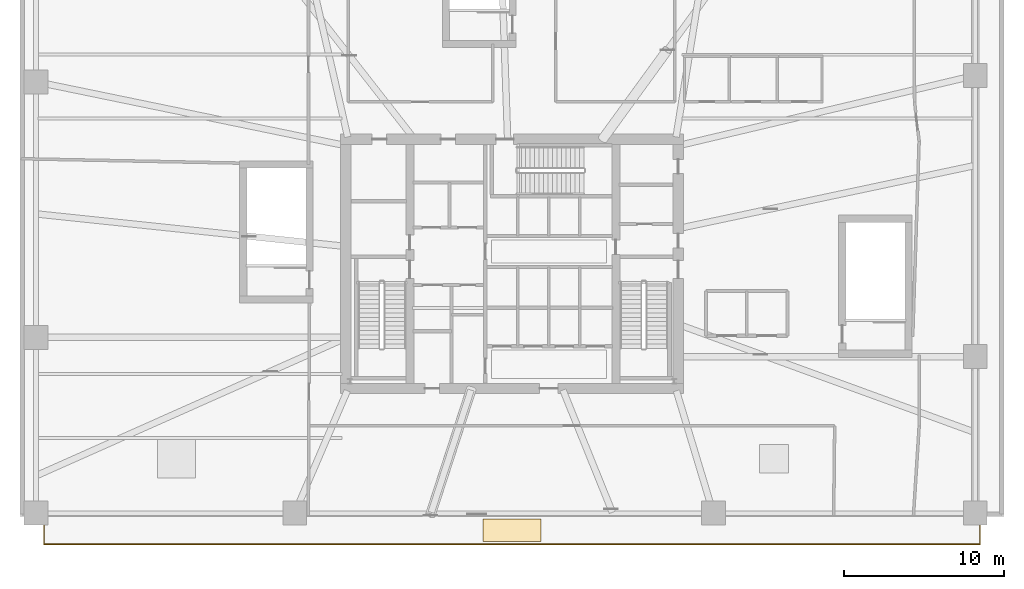
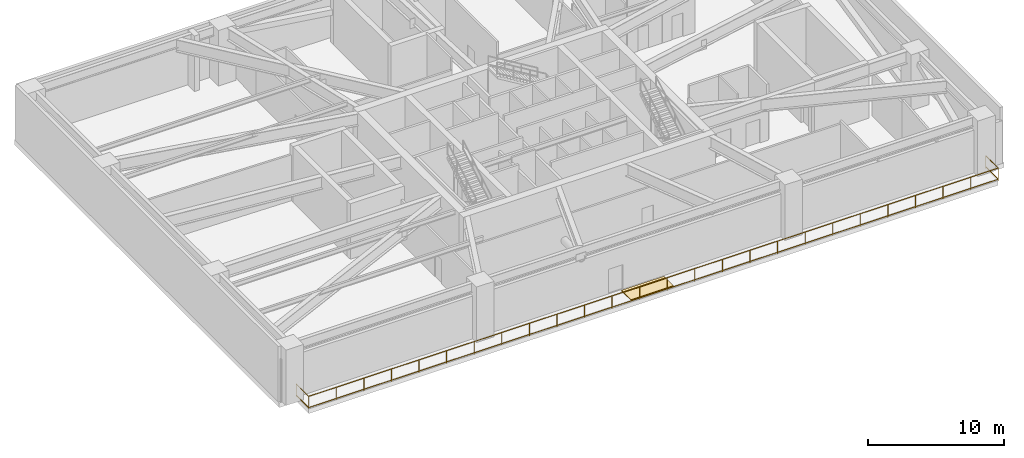
# One storey, part 8 of 10: 1 covering, 1 railing.
"""IFC4 building model written with IfcOpenShell, lengths in metres."""

import ifcopenshell
import ifcopenshell.guid

model = None  # the IFC model being written
_history = None  # IfcOwnerHistory: only IFC2X3 demands one
_inside = {}  # id of a spatial element -> (the spatial element, [elements in it])
_under = {}  # id of a project, library or spatial element -> (it, [spatial elements below it])
_declared = {}  # id of a project -> (the project, [libraries it declares])
_typed = {}  # id of a type object -> (the type object, [elements of that type])
_made_of = {}  # id of a material, layer set ... -> (it, [elements and type objects made of it])


def new_model(schema):
    """Start an empty IFC model of exactly this schema.

    Asked for "IFC4X3", IfcOpenShell would pick the latest addendum, in which some entities
    have other attributes; the version numbers below select the first issue.
    IFC2X3 requires an IfcOwnerHistory on every rooted entity: one is made here for all.
    """
    global model, _history
    if schema == "IFC4X3":
        model = ifcopenshell.file(schema_version=(4, 3, 0, 0))
    else:
        model = ifcopenshell.file(schema=schema)
    _inside.clear()
    _under.clear()
    _declared.clear()
    _typed.clear()
    _made_of.clear()
    _history = None
    if model.schema == "IFC2X3":
        org = make("IfcOrganization", Name="unknown")
        user = make(
            "IfcPersonAndOrganization",
            ThePerson=make("IfcPerson", FamilyName="unknown"),
            TheOrganization=org,
        )
        app = make(
            "IfcApplication",
            ApplicationDeveloper=org,
            Version="unknown",
            ApplicationFullName="unknown",
            ApplicationIdentifier="unknown",
        )
        _history = make(
            "IfcOwnerHistory",
            OwningUser=user,
            OwningApplication=app,
            ChangeAction="ADDED",
            CreationDate=0,
        )
    return model


def make(cls, **values):
    """One entity of the class cls with the attributes given. An attribute that is None is left unset."""
    return model.create_entity(
        cls, **{name: value for name, value in values.items() if value is not None}
    )


def rooted(cls, **values):
    """An entity with a GlobalId (a new one), such as an element, a storey or a relation."""
    return make(cls, GlobalId=ifcopenshell.guid.new(), OwnerHistory=_history, **values)


def si_unit(unit_type, name, prefix=None):
    """IfcSIUnit, for example si_unit("LENGTHUNIT", "METRE", prefix="MILLI")."""
    return make("IfcSIUnit", UnitType=unit_type, Prefix=prefix, Name=name)


def assignment(units):
    """IfcUnitAssignment: the units of a project."""
    return None if units is None else make("IfcUnitAssignment", Units=units)


def point(xyz):
    """IfcCartesianPoint."""
    return None if xyz is None else make("IfcCartesianPoint", Coordinates=xyz)


def direction(xyz):
    """IfcDirection."""
    return None if xyz is None else make("IfcDirection", DirectionRatios=xyz)


def frame(location, z_axis=None, x_axis=None):
    """IfcAxis2Placement3D, a coordinate frame: its origin and axes. An axis left out is left unset."""
    return make(
        "IfcAxis2Placement3D",
        Location=point(location),
        Axis=direction(z_axis),
        RefDirection=direction(x_axis),
    )


def frame_2d(location, x_axis=None):
    """IfcAxis2Placement2D, a coordinate frame in the plane: its origin and x axis."""
    return make(
        "IfcAxis2Placement2D", Location=point(location), RefDirection=direction(x_axis)
    )


def origin():
    """The frame at (0, 0, 0) with its axes left unset."""
    return frame((0.0, 0.0, 0.0))


def origin_2d():
    """The frame at (0, 0) in the plane with its x axis left unset."""
    return frame_2d((0.0, 0.0))


def place(relative_to, where):
    """IfcLocalPlacement: puts the frame where relative to a parent placement (None: the world)."""
    return make(
        "IfcLocalPlacement", PlacementRelTo=relative_to, RelativePlacement=where
    )


def context(
    kind, dimensions, precision=None, world=None, true_north=None, identifier=None
):
    """IfcGeometricRepresentationContext, for example the 3D "Model" context."""
    return make(
        "IfcGeometricRepresentationContext",
        ContextIdentifier=identifier,
        ContextType=kind,
        CoordinateSpaceDimension=dimensions,
        Precision=precision,
        WorldCoordinateSystem=world,
        TrueNorth=true_north,
    )


def subcontext(parent, identifier, kind, view, scale=None):
    """IfcGeometricRepresentationSubContext, for example "Body" below "Model"."""
    return make(
        "IfcGeometricRepresentationSubContext",
        ContextIdentifier=identifier,
        ContextType=kind,
        ParentContext=parent,
        TargetScale=scale,
        TargetView=view,
    )


def project(units=None, contexts=None):
    """IfcProject with its units and contexts."""
    return rooted(
        "IfcProject",
        Name="project",
        RepresentationContexts=contexts,
        UnitsInContext=assignment(units),
    )


def spatial(cls, under=None, at=None, **own):
    """A site, building, storey or space (cls), placed at a placement, below another one or the project."""
    s = rooted(cls, ObjectPlacement=at, **own)
    if under is not None:
        _under.setdefault(under.id(), (under, []))[1].append(s)
    return s


def profile(cls, at=None, kind="AREA", **sizes):
    """A parametric profile (cls). Its sizes go by their IFC names, for example OverallWidth=200.0."""
    return make(cls, ProfileType=kind, Position=at, **sizes)


def rectangle(**sizes):
    """IfcRectangleProfileDef."""
    return profile("IfcRectangleProfileDef", **sizes)


def extrude(swept, where, along, depth):
    """IfcExtrudedAreaSolid: the profile swept, set in the frame where, extruded along a direction by depth."""
    return make(
        "IfcExtrudedAreaSolid",
        SweptArea=swept,
        Position=where,
        ExtrudedDirection=direction(along),
        Depth=depth,
    )


def shape(context_of_items, identifier, shape_type, items):
    """IfcShapeRepresentation: the items that make up one representation, for example the "Body"."""
    return make(
        "IfcShapeRepresentation",
        ContextOfItems=context_of_items,
        RepresentationIdentifier=identifier,
        RepresentationType=shape_type,
        Items=items,
    )


def material(Name=None, Category=None):
    """IfcMaterial."""
    return make("IfcMaterial", Name=Name, Category=Category)


def layer(
    of_material, thickness, ventilated=None, Name=None, Category=None, Priority=None
):
    """IfcMaterialLayer: one layer of a wall or slab, of a material (None: an air gap)."""
    return make(
        "IfcMaterialLayer",
        Material=of_material,
        LayerThickness=thickness,
        IsVentilated=ventilated,
        Name=Name,
        Category=Category,
        Priority=Priority,
    )


def layer_set(layers, Name=None):
    """IfcMaterialLayerSet."""
    return make("IfcMaterialLayerSet", MaterialLayers=layers, LayerSetName=Name)


def made_of(thing, what):
    """Note that an element or type object is made of a material, layer set ...; save() writes the relation."""
    if what is not None:
        _made_of.setdefault(what.id(), (what, []))[1].append(thing)
    return thing


def type_object(cls, material=None, **own):
    """A type object (cls), such as IfcWallType, which elements share."""
    return made_of(rooted(cls, **own), material)


def element(
    cls,
    number,
    at=None,
    inside=None,
    cuts=None,
    type_object=None,
    material=None,
    context=None,
    identifier="Body",
    shape_type=None,
    held_by="IfcProductDefinitionShape",
    body=None,
    shapes=None,
    **own,
):
    """One element of the class cls, such as IfcWall. Its Tag is "e" and its number.

    at: its placement. inside: the storey or other place that contains it. cuts: it is an
    opening in that element (IfcRelVoidsElement). A single representation is given by context,
    identifier, shape_type and body (its items); several are given by shapes. held_by: the class
    of the entity that holds the representations. save() writes the other relations.
    """
    e = rooted(cls, Tag="e%d" % number, ObjectPlacement=at, **own)
    if body is not None:
        shapes = [shape(context, identifier, shape_type, body)]
    if shapes is not None:
        e.Representation = make(held_by, Representations=shapes)
    if inside is not None:
        _inside.setdefault(inside.id(), (inside, []))[1].append(e)
    if cuts is not None:
        rooted(
            "IfcRelVoidsElement", RelatingBuildingElement=cuts, RelatedOpeningElement=e
        )
    if type_object is not None:
        _typed.setdefault(type_object.id(), (type_object, []))[1].append(e)
    return made_of(e, material)


def aggregate(whole, parts):
    """IfcRelAggregates: a whole, such as a stair, and the parts it consists of."""
    return rooted("IfcRelAggregates", RelatingObject=whole, RelatedObjects=parts)


def save(model, path):
    """Write the relations noted so far, then the file.

    IfcRelAggregates (storeys below a building ...), IfcRelContainedInSpatialStructure (elements
    in a storey), IfcRelDefinesByType, IfcRelAssociatesMaterial and IfcRelDeclares: one each for
    every whole, place, type object, material and project.
    """
    for whole, parts in _under.values():
        aggregate(whole, parts)
    for where, things in _inside.values():
        rooted(
            "IfcRelContainedInSpatialStructure",
            RelatedElements=things,
            RelatingStructure=where,
        )
    for kind, things in _typed.values():
        rooted("IfcRelDefinesByType", RelatedObjects=things, RelatingType=kind)
    for what, things in _made_of.values():
        rooted("IfcRelAssociatesMaterial", RelatedObjects=things, RelatingMaterial=what)
    for by, libraries in _declared.values():
        rooted("IfcRelDeclares", RelatingContext=by, RelatedDefinitions=libraries)
    model.write(path)


model = new_model("IFC4")

# Units and contexts
model_context = context("Model", 3, precision=1e-05, world=origin(), true_north=direction((0.0, 1.0)))
body_context = subcontext(model_context, "Body", "Model", "MODEL_VIEW")
ifc_project = project(units=[si_unit("LENGTHUNIT", "METRE"), si_unit("AREAUNIT", "SQUARE_METRE"), si_unit("VOLUMEUNIT", "CUBIC_METRE"), si_unit("PLANEANGLEUNIT", "RADIAN"), si_unit("MASSUNIT", "GRAM", prefix="KILO")], contexts=[model_context])

# Site, building, storey
site_placement = place(None, origin())
site = spatial("IfcSite", under=ifc_project, at=site_placement, CompositionType="ELEMENT")
building_placement = place(site_placement, origin())
building = spatial("IfcBuilding", under=site, at=building_placement, Name="Qarnah Convention Tower", CompositionType="ELEMENT")
storey_placement = place(building_placement, frame((0.0, 0.0, 21.60009765625)))
storey = spatial("IfcBuildingStorey", under=building, at=storey_placement, Name="L04", CompositionType="ELEMENT", Elevation=21.60009765625)

# Covering
ifc_material_1 = material(Name="Bituminous roof membrane", Category="concrete")
ifc_layer = layer(ifc_material_1, 0.080078125)
ifc_layer_set = layer_set([ifc_layer], Name="Bituminous roof membrane")
covering_type = type_object("IfcCoveringType", Name="COV-ROOF-80", PredefinedType="ROOFING", material=ifc_layer_set)
covering_placement = place(storey_placement, frame((37.199951171875, 9.72802734375, -0.000244140625), z_axis=(0.0, 0.0, 1.0), x_axis=(1.0, 0.0, 0.0)))
element("IfcCovering", 1, at=covering_placement, inside=storey, type_object=covering_type, Name="L04 podium terrace roof membrane panel 1", PredefinedType="ROOFING", context=body_context, shape_type="SweptSolid", body=[
    extrude(rectangle(XDim=3.60009765625, YDim=1.39990234375, at=origin_2d()), origin(), (0.0, 0.0, 1.0), 0.080078125),
])

# Railing
ifc_material_2 = material(Name="Black anodised aluminium", Category="aluminium")
railing_type = type_object("IfcRailingType", Name="RL-EXT-GUARD-1150", PredefinedType="GUARDRAIL", material=ifc_material_2)
railing_placement = place(storey_placement, frame((7.89990234375, 10.699951171875, 0.0)))
element("IfcRailing", 2, at=railing_placement, inside=storey, type_object=railing_type, Name="L04 balcony safety guard TERR-L04-S", PredefinedType="GUARDRAIL", context=body_context, shape_type="SweptSolid", body=[
    extrude(rectangle(XDim=0.048095703125, YDim=0.048095703125, at=origin_2d()), frame((0.0, 0.0, 1.1259765625), z_axis=(0.0, -1.0, 0.0), x_axis=(1.0, 0.0, 0.0)), (0.0, 0.0, 1.0), 1.849853515625),
    extrude(rectangle(XDim=0.048095703125, YDim=0.048095703125, at=origin_2d()), frame((0.0, 0.0, 0.1201171875), z_axis=(0.0, -1.0, 0.0), x_axis=(1.0, 0.0, 0.0)), (0.0, 0.0, 1.0), 1.849853515625),
    extrude(rectangle(XDim=0.048095703125, YDim=0.048095703125, at=origin_2d()), frame((0.0, -1.849853515625, 1.1259765625), z_axis=(1.0, 0.0, 0.0), x_axis=(0.0, 1.0, 0.0)), (0.0, 0.0, 1.0), 58.60009765625),
    extrude(rectangle(XDim=0.048095703125, YDim=0.048095703125, at=origin_2d()), frame((0.0, -1.849853515625, 0.1201171875), z_axis=(1.0, 0.0, 0.0), x_axis=(0.0, 1.0, 0.0)), (0.0, 0.0, 1.0), 58.60009765625),
    extrude(rectangle(XDim=0.048095703125, YDim=0.048095703125, at=origin_2d()), frame((58.60009765625, -1.849853515625, 1.1259765625), z_axis=(0.0, 1.0, 0.0), x_axis=(-1.0, 0.0, 0.0)), (0.0, 0.0, 1.0), 1.849853515625),
    extrude(rectangle(XDim=0.048095703125, YDim=0.048095703125, at=origin_2d()), frame((58.60009765625, -1.849853515625, 0.1201171875), z_axis=(0.0, 1.0, 0.0), x_axis=(-1.0, 0.0, 0.0)), (0.0, 0.0, 1.0), 1.849853515625),
    extrude(rectangle(XDim=0.0419921875, YDim=0.0419921875, at=origin_2d()), origin(), (0.0, 0.0, 1.0), 1.101806640625),
    extrude(rectangle(XDim=0.0419921875, YDim=0.0419921875, at=origin_2d()), frame((0.0, -1.849853515625, 0.0)), (0.0, 0.0, 1.0), 1.101806640625),
    extrude(rectangle(XDim=0.0419921875, YDim=0.0419921875, at=origin_2d()), frame((2.343994140625, -1.849853515625, 0.0)), (0.0, 0.0, 1.0), 1.101806640625),
    extrude(rectangle(XDim=0.0419921875, YDim=0.0419921875, at=origin_2d()), frame((4.68798828125, -1.849853515625, 0.0)), (0.0, 0.0, 1.0), 1.101806640625),
    extrude(rectangle(XDim=0.0419921875, YDim=0.0419921875, at=origin_2d()), frame((7.031982421875, -1.849853515625, 0.0)), (0.0, 0.0, 1.0), 1.101806640625),
    extrude(rectangle(XDim=0.0419921875, YDim=0.0419921875, at=origin_2d()), frame((9.3759765625, -1.849853515625, 0.0)), (0.0, 0.0, 1.0), 1.101806640625),
    extrude(rectangle(XDim=0.0419921875, YDim=0.0419921875, at=origin_2d()), frame((11.719970703125, -1.849853515625, 0.0)), (0.0, 0.0, 1.0), 1.101806640625),
    extrude(rectangle(XDim=0.0419921875, YDim=0.0419921875, at=origin_2d()), frame((14.06396484375, -1.849853515625, 0.0)), (0.0, 0.0, 1.0), 1.101806640625),
    extrude(rectangle(XDim=0.0419921875, YDim=0.0419921875, at=origin_2d()), frame((16.407958984375, -1.849853515625, 0.0)), (0.0, 0.0, 1.0), 1.101806640625),
    extrude(rectangle(XDim=0.0419921875, YDim=0.0419921875, at=origin_2d()), frame((18.751953125, -1.849853515625, 0.0)), (0.0, 0.0, 1.0), 1.101806640625),
    extrude(rectangle(XDim=0.0419921875, YDim=0.0419921875, at=origin_2d()), frame((21.095947265625, -1.849853515625, 0.0)), (0.0, 0.0, 1.0), 1.101806640625),
    extrude(rectangle(XDim=0.0419921875, YDim=0.0419921875, at=origin_2d()), frame((23.43994140625, -1.849853515625, 0.0)), (0.0, 0.0, 1.0), 1.101806640625),
    extrude(rectangle(XDim=0.0419921875, YDim=0.0419921875, at=origin_2d()), frame((25.783935546875, -1.849853515625, 0.0)), (0.0, 0.0, 1.0), 1.101806640625),
    extrude(rectangle(XDim=0.0419921875, YDim=0.0419921875, at=origin_2d()), frame((28.1279296875, -1.849853515625, 0.0)), (0.0, 0.0, 1.0), 1.101806640625),
    extrude(rectangle(XDim=0.0419921875, YDim=0.0419921875, at=origin_2d()), frame((30.47216796875, -1.849853515625, 0.0)), (0.0, 0.0, 1.0), 1.101806640625),
    extrude(rectangle(XDim=0.0419921875, YDim=0.0419921875, at=origin_2d()), frame((32.816162109375, -1.849853515625, 0.0)), (0.0, 0.0, 1.0), 1.101806640625),
    extrude(rectangle(XDim=0.0419921875, YDim=0.0419921875, at=origin_2d()), frame((35.16015625, -1.849853515625, 0.0)), (0.0, 0.0, 1.0), 1.101806640625),
    extrude(rectangle(XDim=0.0419921875, YDim=0.0419921875, at=origin_2d()), frame((37.504150390625, -1.849853515625, 0.0)), (0.0, 0.0, 1.0), 1.101806640625),
    extrude(rectangle(XDim=0.0419921875, YDim=0.0419921875, at=origin_2d()), frame((39.84814453125, -1.849853515625, 0.0)), (0.0, 0.0, 1.0), 1.101806640625),
    extrude(rectangle(XDim=0.0419921875, YDim=0.0419921875, at=origin_2d()), frame((42.192138671875, -1.849853515625, 0.0)), (0.0, 0.0, 1.0), 1.101806640625),
    extrude(rectangle(XDim=0.0419921875, YDim=0.0419921875, at=origin_2d()), frame((44.5361328125, -1.849853515625, 0.0)), (0.0, 0.0, 1.0), 1.101806640625),
    extrude(rectangle(XDim=0.0419921875, YDim=0.0419921875, at=origin_2d()), frame((46.880126953125, -1.849853515625, 0.0)), (0.0, 0.0, 1.0), 1.101806640625),
    extrude(rectangle(XDim=0.0419921875, YDim=0.0419921875, at=origin_2d()), frame((49.22412109375, -1.849853515625, 0.0)), (0.0, 0.0, 1.0), 1.101806640625),
    extrude(rectangle(XDim=0.0419921875, YDim=0.0419921875, at=origin_2d()), frame((51.568115234375, -1.849853515625, 0.0)), (0.0, 0.0, 1.0), 1.101806640625),
    extrude(rectangle(XDim=0.0419921875, YDim=0.0419921875, at=origin_2d()), frame((53.912109375, -1.849853515625, 0.0)), (0.0, 0.0, 1.0), 1.101806640625),
    extrude(rectangle(XDim=0.0419921875, YDim=0.0419921875, at=origin_2d()), frame((56.256103515625, -1.849853515625, 0.0)), (0.0, 0.0, 1.0), 1.101806640625),
    extrude(rectangle(XDim=0.0419921875, YDim=0.0419921875, at=origin_2d()), frame((58.60009765625, -1.849853515625, 0.0)), (0.0, 0.0, 1.0), 1.101806640625),
    extrude(rectangle(XDim=0.0419921875, YDim=0.0419921875, at=origin_2d()), frame((58.60009765625, 0.0, 0.0)), (0.0, 0.0, 1.0), 1.101806640625),
])

save(model, "model.ifc")
